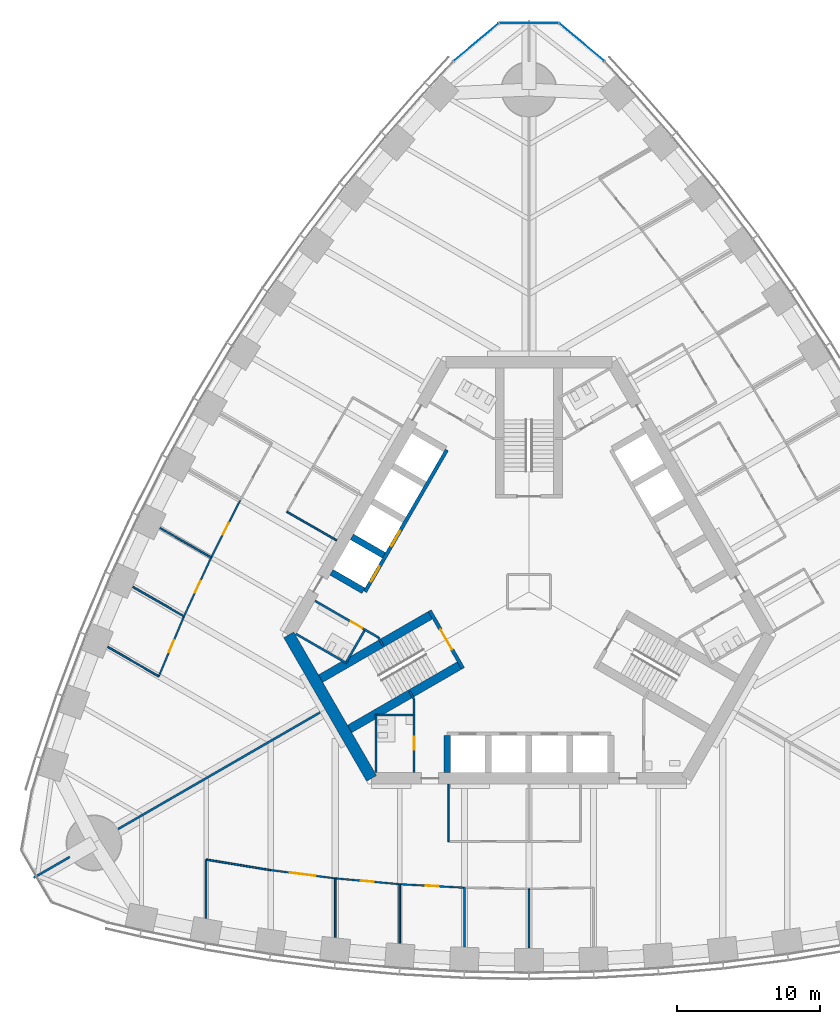
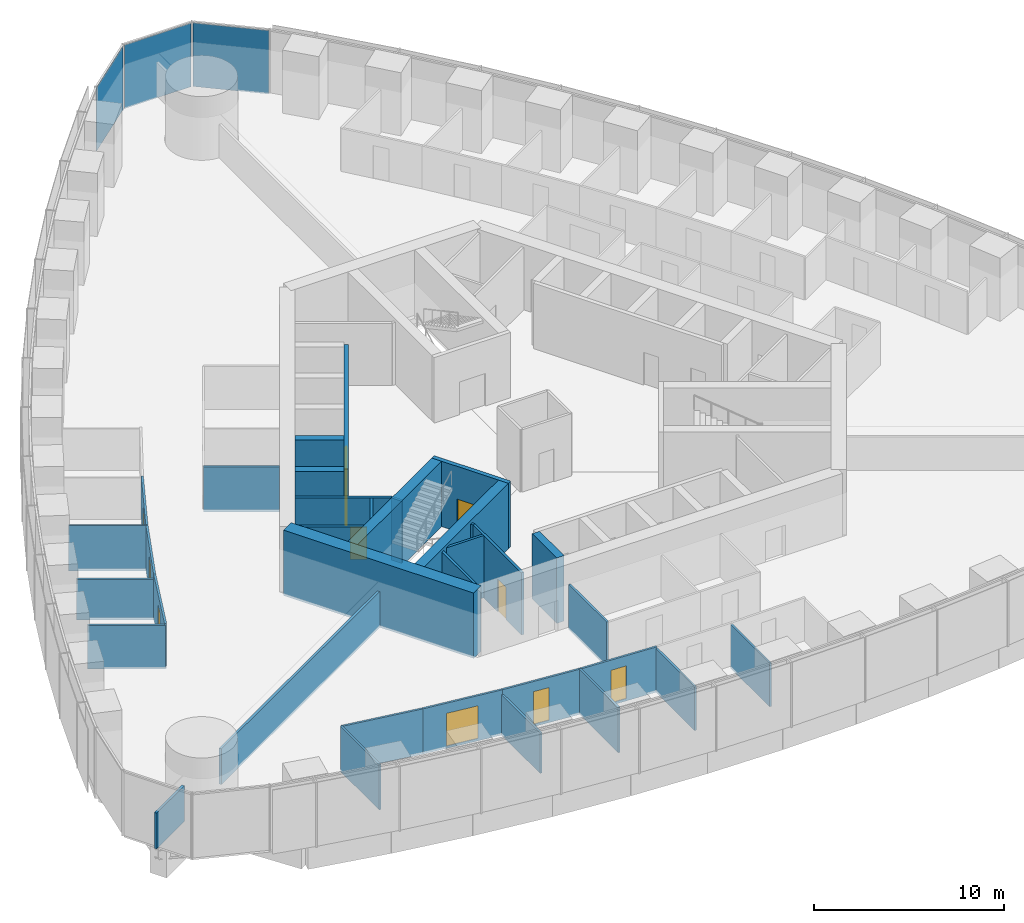
# One storey, part 10 of 18: 35 walls, 11 doors, 3 plates, 11 openings, 1 element without a shape of its own.
"""IFC4 building model written with IfcOpenShell, lengths in metres."""

from ifc_helpers import new_model, si_unit, direction, frame, frame_2d, origin, origin_2d, place, context, subcontext, project, spatial, rectangle, extrude, material, layer, layer_set, type_object, element, fill, aggregate, save


model = new_model("IFC4")

# Units and contexts
model_context = context("Model", 3, precision=1e-05, world=origin(), true_north=direction((0.0, 1.0)))
body_context = subcontext(model_context, "Body", "Model", "MODEL_VIEW")
ifc_project = project(units=[si_unit("LENGTHUNIT", "METRE"), si_unit("AREAUNIT", "SQUARE_METRE"), si_unit("VOLUMEUNIT", "CUBIC_METRE"), si_unit("PLANEANGLEUNIT", "RADIAN"), si_unit("MASSUNIT", "GRAM", prefix="KILO")], contexts=[model_context])

# Site, building, storey
site_placement = place(None, origin())
site = spatial("IfcSite", under=ifc_project, at=site_placement, CompositionType="ELEMENT")
building_placement = place(site_placement, origin())
building = spatial("IfcBuilding", under=site, at=building_placement, Name="Trefoil Bronze Tower", CompositionType="ELEMENT")
storey_placement = place(building_placement, frame((0.0, 0.0, 157.699951171875)))
storey = spatial("IfcBuildingStorey", under=building, at=storey_placement, Name="L36", CompositionType="ELEMENT", Elevation=157.699951171875)

# Curtain wall, plates
ifc_material_1 = material(Name="Tinted solar-control glass", Category="glass")
curtain_wall_type = type_object("IfcCurtainWallType", Name="Bronze rounded corner curtain wall", PredefinedType="USERDEFINED", material=ifc_material_1)
curtain_wall_placement = place(storey_placement, origin())
curtain_wall = element("IfcCurtainWall", 1, at=curtain_wall_placement, inside=storey, type_object=curtain_wall_type, Name="CW-B L36 K2", ObjectType="CURTAIN WALL", PredefinedType="USERDEFINED")
ifc_material_2 = material(Name="Tinted solar-control glass", Category="glass")
ifc_layer_1 = layer(ifc_material_2, 0.030029296875)
ifc_layer_set_1 = layer_set([ifc_layer_1], Name="Bronze rounded corner curtain wall glass panel")
plate_type = type_object("IfcPlateType", Name="Bronze rounded corner curtain wall glass panel", PredefinedType="CURTAIN_PANEL", material=ifc_layer_set_1)
plate_1_placement = place(storey_placement, frame((3.6884765625, 38.294921875, 0.0), z_axis=(0.0, 0.0, 1.0), x_axis=(-0.766044443119, 0.642787609687, 0.0)))
plate_1 = element("IfcPlate", 2, at=plate_1_placement, type_object=plate_type, Name="CW-B L36 K2 panel 1", PredefinedType="CURTAIN_PANEL", context=body_context, shape_type="SweptSolid", body=[
    extrude(rectangle(XDim=4.044189453125, YDim=0.030029296875, at=origin_2d()), origin(), (0.0, 0.0, 1.0), 4.080078125),
])
plate_2_placement = place(storey_placement, frame((0.0, 39.637451171875, 0.0), z_axis=(0.0, 0.0, 1.0), x_axis=(-1.0, 0.0, 0.0)))
plate_2 = element("IfcPlate", 3, at=plate_2_placement, type_object=plate_type, Name="CW-B L36 K2 panel 2", PredefinedType="CURTAIN_PANEL", context=body_context, shape_type="SweptSolid", body=[
    extrude(rectangle(XDim=4.044189453125, YDim=0.030029296875, at=origin_2d()), origin(), (0.0, 0.0, 1.0), 4.080078125),
])
plate_3_placement = place(storey_placement, frame((-3.6884765625, 38.294921875, 0.0), z_axis=(0.0, 0.0, 1.0), x_axis=(-0.766044443119, -0.642787609687, 0.0)))
plate_3 = element("IfcPlate", 4, at=plate_3_placement, type_object=plate_type, Name="CW-B L36 K2 panel 3", PredefinedType="CURTAIN_PANEL", context=body_context, shape_type="SweptSolid", body=[
    extrude(rectangle(XDim=4.044189453125, YDim=0.030029296875, at=origin_2d()), origin(), (0.0, 0.0, 1.0), 4.080078125),
])
aggregate(curtain_wall, [plate_1, plate_2, plate_3])

# Walls
ifc_material_3 = material(Name="Concrete B80", Category="concrete")
ifc_layer_2 = layer(ifc_material_3, 0.800048828125)
ifc_layer_set_2 = layer_set([ifc_layer_2], Name="Core wall 800")
wall_type_1 = type_object("IfcWallType", Name="Core wall 800", PredefinedType="SHEAR", material=ifc_layer_set_2)
wall_1_placement = place(storey_placement, frame((-16.7431640625, -3.0, 0.0), z_axis=(0.0, 0.0, 1.0), x_axis=(0.499995765644, -0.866027848477, 0.0)))
element("IfcWall", 5, at=wall_1_placement, inside=storey, type_object=wall_type_1, Name="Core short wall 3 L36", PredefinedType="SHEAR", context=body_context, shape_type="SweptSolid", body=[
    extrude(rectangle(XDim=11.546875, YDim=0.800048828125, at=frame_2d((5.7734375, 0.0))), origin(), (0.0, 0.0, 1.0), 4.199951171875),
])
ifc_material_4 = material(Name="Glazed partition", Category="glass")
ifc_layer_3 = layer(ifc_material_4, 0.1201171875)
ifc_layer_set_3 = layer_set([ifc_layer_3], Name="Glazed partition 120")
wall_type_2 = type_object("IfcWallType", Name="Glazed partition 120", PredefinedType="PARTITIONING", material=ifc_layer_set_3)
wall_2_placement = place(storey_placement, frame((-5.60009765625, -13.39990234375, 0.0), z_axis=(0.0, 0.0, 1.0), x_axis=(0.0, -1.0, 0.0)))
element("IfcWall", 6, at=wall_2_placement, inside=storey, type_object=wall_type_2, Name="Partition F1 L36", PredefinedType="PARTITIONING", context=body_context, shape_type="SweptSolid", body=[
    extrude(rectangle(XDim=4.0, YDim=0.1201171875, at=frame_2d((2.0, 0.0))), origin(), (0.0, 0.0, 1.0), 2.900146484375),
])

# Wall, opening, door
wall_3_placement = place(storey_placement, frame((-13.5, -19.9677734375, 0.0), z_axis=(0.0, 0.0, 1.0), x_axis=(0.995930325215, -0.090126507295, 0.0)))
wall_3 = element("IfcWall", 7, at=wall_3_placement, inside=storey, type_object=wall_type_2, Name="Partition F1 L36", PredefinedType="PARTITIONING", context=body_context, shape_type="SweptSolid", body=[
    extrude(rectangle(XDim=4.518310546875, YDim=0.1201171875, at=frame_2d((2.25927734375, 0.0))), origin(), (0.0, 0.0, 1.0), 2.900146484375),
])
opening_1_placement = place(wall_3_placement, frame((1.800048828125, 0.0, 0.14990234375)))
opening_1 = element("IfcOpeningElement", 8, at=opening_1_placement, cuts=wall_3, Name="Opening D8", PredefinedType="OPENING", context=body_context, shape_type="SweptSolid", body=[
    extrude(rectangle(XDim=0.89990234375, YDim=2.10009765625, at=frame_2d((0.449951171875, 1.050048828125))), frame((0.0, 0.070068359375, 0.0), z_axis=(0.0, -1.0, 0.0), x_axis=(1.0, 0.0, 0.0)), (0.0, 0.0, 1.0), 0.14013671875),
])
ifc_material_5 = material(Name="Timber door", Category="wood")
door_type_1 = type_object("IfcDoorType", Name="Office door 900", OperationType="SINGLE_SWING_LEFT", PredefinedType="DOOR", material=ifc_material_5)
door_1_placement = place(opening_1_placement, frame((0.89990234375, 0.0, 0.0), z_axis=(0.0, 0.0, 1.0), x_axis=(-1.0, 0.0, 0.0)))
door_1 = element("IfcDoor", 9, at=door_1_placement, inside=storey, type_object=door_type_1, Name="Office door F1 L36", OperationType="SINGLE_SWING_RIGHT", OverallHeight=2.10009765625, OverallWidth=0.89990234375, PredefinedType="DOOR", context=body_context, shape_type="SweptSolid", body=[
    extrude(rectangle(XDim=0.89990234375, YDim=2.10009765625, at=frame_2d((0.449951171875, 1.050048828125))), frame((0.0, 0.02490234375, 0.0), z_axis=(0.0, -1.0, 0.0), x_axis=(1.0, 0.0, 0.0)), (0.0, 0.0, 1.0), 0.050048828125),
])
fill(opening_1, door_1)

wall_4_placement = place(storey_placement, frame((-18.0, -19.3955078125, 0.0), z_axis=(0.0, 0.0, 1.0), x_axis=(0.992010652594, -0.12615413247, 0.0)))
wall_4 = element("IfcWall", 10, at=wall_4_placement, inside=storey, type_object=wall_type_2, Name="Partition F1 L36", PredefinedType="PARTITIONING", context=body_context, shape_type="SweptSolid", body=[
    extrude(rectangle(XDim=4.5361328125, YDim=0.1201171875, at=frame_2d((2.26806640625, 0.0))), origin(), (0.0, 0.0, 1.0), 2.900146484375),
])
opening_2_placement = place(wall_4_placement, frame((1.35009765625, 0.0, 0.14990234375)))
opening_2 = element("IfcOpeningElement", 11, at=opening_2_placement, cuts=wall_4, Name="Opening D10", PredefinedType="OPENING", context=body_context, shape_type="SweptSolid", body=[
    extrude(rectangle(XDim=1.800048828125, YDim=2.10009765625, at=frame_2d((0.89990234375, 1.050048828125))), frame((0.0, 0.070068359375, 0.0), z_axis=(0.0, -1.0, 0.0), x_axis=(1.0, 0.0, 0.0)), (0.0, 0.0, 1.0), 0.14013671875),
])
ifc_material_6 = material(Name="Timber door", Category="wood")
door_type_2 = type_object("IfcDoorType", Name="Double door 1800", OperationType="DOUBLE_DOOR_SINGLE_SWING", PredefinedType="DOOR", material=ifc_material_6)
door_2_placement = place(opening_2_placement, frame((1.800048828125, 0.0, 0.0), z_axis=(0.0, 0.0, 1.0), x_axis=(-1.0, 0.0, 0.0)))
door_2 = element("IfcDoor", 12, at=door_2_placement, inside=storey, type_object=door_type_2, Name="Kitchen and breakout door F1 L36", OperationType="DOUBLE_DOOR_SINGLE_SWING", OverallHeight=2.10009765625, OverallWidth=1.800048828125, PredefinedType="DOOR", context=body_context, shape_type="SweptSolid", body=[
    extrude(rectangle(XDim=1.800048828125, YDim=2.10009765625, at=frame_2d((0.89990234375, 1.050048828125))), frame((0.0, 0.02490234375, 0.0), z_axis=(0.0, -1.0, 0.0), x_axis=(1.0, 0.0, 0.0)), (0.0, 0.0, 1.0), 0.050048828125),
])
fill(opening_2, door_2)

# Wall
wall_5_placement = place(storey_placement, frame((-22.5, -18.656005859375, 0.0), z_axis=(0.0, 0.0, 1.0), x_axis=(0.986764681833, -0.162158757664, 0.0)))
element("IfcWall", 13, at=wall_5_placement, inside=storey, type_object=wall_type_2, Name="Partition F1 L36", PredefinedType="PARTITIONING", context=body_context, shape_type="SweptSolid", body=[
    extrude(rectangle(XDim=4.560302734375, YDim=0.1201171875, at=frame_2d((2.2802734375, 0.0))), origin(), (0.0, 0.0, 1.0), 2.900146484375),
])

# Wall, opening, door
wall_6_placement = place(storey_placement, frame((-9.0, -20.375, 0.0), z_axis=(0.0, 0.0, 1.0), x_axis=(0.998537376538, -0.054065771581, 0.0)))
wall_6 = element("IfcWall", 14, at=wall_6_placement, inside=storey, type_object=wall_type_2, Name="Partition F1 L36", PredefinedType="PARTITIONING", context=body_context, shape_type="SweptSolid", body=[
    extrude(rectangle(XDim=4.506591796875, YDim=0.1201171875, at=frame_2d((2.25341796875, 0.0))), origin(), (0.0, 0.0, 1.0), 2.900146484375),
])
opening_3_placement = place(wall_6_placement, frame((1.800048828125, 0.0, 0.14990234375)))
opening_3 = element("IfcOpeningElement", 15, at=opening_3_placement, cuts=wall_6, Name="Opening D8", PredefinedType="OPENING", context=body_context, shape_type="SweptSolid", body=[
    extrude(rectangle(XDim=0.89990234375, YDim=2.10009765625, at=frame_2d((0.449951171875, 1.050048828125))), frame((0.0, 0.070068359375, 0.0), z_axis=(0.0, -1.0, 0.0), x_axis=(1.0, 0.0, 0.0)), (0.0, 0.0, 1.0), 0.14013671875),
])
door_3_placement = place(opening_3_placement, frame((0.89990234375, 0.0, 0.0), z_axis=(0.0, 0.0, 1.0), x_axis=(-1.0, 0.0, 0.0)))
door_3 = element("IfcDoor", 16, at=door_3_placement, inside=storey, type_object=door_type_1, Name="Office door F1 L36", OperationType="SINGLE_SWING_RIGHT", OverallHeight=2.10009765625, OverallWidth=0.89990234375, PredefinedType="DOOR", context=body_context, shape_type="SweptSolid", body=[
    extrude(rectangle(XDim=0.89990234375, YDim=2.10009765625, at=frame_2d((0.449951171875, 1.050048828125))), frame((0.0, 0.02490234375, 0.0), z_axis=(0.0, -1.0, 0.0), x_axis=(1.0, 0.0, 0.0)), (0.0, 0.0, 1.0), 0.050048828125),
])
fill(opening_3, door_3)

# Walls
wall_7_placement = place(storey_placement, frame((0.0, -20.69970703125, 0.0), z_axis=(0.0, 0.0, 1.0), x_axis=(0.0, -1.0, 0.0)))
element("IfcWall", 17, at=wall_7_placement, inside=storey, type_object=wall_type_2, Name="Partition F1 L36", PredefinedType="PARTITIONING", context=body_context, shape_type="SweptSolid", body=[
    extrude(rectangle(XDim=4.119873046875, YDim=0.1201171875, at=frame_2d((2.06005859375, 0.0))), origin(), (0.0, 0.0, 1.0), 2.800048828125),
])
wall_8_placement = place(storey_placement, frame((-13.5, -19.9677734375, 0.0), z_axis=(0.0, 0.0, 1.0), x_axis=(0.0, -1.0, 0.0)))
element("IfcWall", 18, at=wall_8_placement, inside=storey, type_object=wall_type_2, Name="Partition F1 L36", PredefinedType="PARTITIONING", context=body_context, shape_type="SweptSolid", body=[
    extrude(rectangle(XDim=4.1103515625, YDim=0.1201171875, at=frame_2d((2.05517578125, 0.0))), origin(), (0.0, 0.0, 1.0), 2.60009765625),
])
wall_9_placement = place(storey_placement, frame((-22.5, -18.656005859375, 0.0), z_axis=(0.0, 0.0, 1.0), x_axis=(0.0, -1.0, 0.0)))
element("IfcWall", 19, at=wall_9_placement, inside=storey, type_object=wall_type_2, Name="Partition F1 L36", PredefinedType="PARTITIONING", context=body_context, shape_type="SweptSolid", body=[
    extrude(rectangle(XDim=4.093017578125, YDim=0.1201171875, at=frame_2d((2.04638671875, 0.0))), origin(), (0.0, 0.0, 1.0), 2.900146484375),
])
wall_10_placement = place(storey_placement, frame((-4.5, -20.61865234375, 0.0), z_axis=(0.0, 0.0, 1.0), x_axis=(0.0, -1.0, 0.0)))
element("IfcWall", 20, at=wall_10_placement, inside=storey, type_object=wall_type_2, Name="Partition F1 L36", PredefinedType="PARTITIONING", context=body_context, shape_type="SweptSolid", body=[
    extrude(rectangle(XDim=4.118896484375, YDim=0.1201171875, at=frame_2d((2.0595703125, 0.0))), origin(), (0.0, 0.0, 1.0), 2.800048828125),
])
wall_11_placement = place(storey_placement, frame((-9.0, -20.375, 0.0), z_axis=(0.0, 0.0, 1.0), x_axis=(0.0, -1.0, 0.0)))
element("IfcWall", 21, at=wall_11_placement, inside=storey, type_object=wall_type_2, Name="Partition F1 L36", PredefinedType="PARTITIONING", context=body_context, shape_type="SweptSolid", body=[
    extrude(rectangle(XDim=4.11572265625, YDim=0.1201171875, at=frame_2d((2.057861328125, 0.0))), origin(), (0.0, 0.0, 1.0), 2.900146484375),
])
wall_12_placement = place(storey_placement, frame((-13.40478515625, 3.582275390625, 0.0), z_axis=(0.0, 0.0, 1.0), x_axis=(-0.866026010844, 0.49999894854, 0.0)))
element("IfcWall", 22, at=wall_12_placement, inside=storey, type_object=wall_type_2, Name="Partition F3 L36", PredefinedType="PARTITIONING", context=body_context, shape_type="SweptSolid", body=[
    extrude(rectangle(XDim=4.0, YDim=0.1201171875, at=frame_2d((2.0, 0.0))), origin(), (0.0, 0.0, 1.0), 2.900146484375),
])

# Wall, opening, door
wall_13_placement = place(storey_placement, frame((-24.042724609375, -1.70751953125, 0.0), z_axis=(0.0, 0.0, 1.0), x_axis=(-0.386762112496, -0.922179520667, 0.0)))
wall_13 = element("IfcWall", 23, at=wall_13_placement, inside=storey, type_object=wall_type_2, Name="Partition F3 L36", PredefinedType="PARTITIONING", context=body_context, shape_type="SweptSolid", body=[
    extrude(rectangle(XDim=4.5361328125, YDim=0.1201171875, at=frame_2d((2.26806640625, 0.0))), origin(), (0.0, 0.0, 1.0), 2.900146484375),
])
opening_4_placement = place(wall_13_placement, frame((1.800048828125, 0.0, 0.14990234375)))
opening_4 = element("IfcOpeningElement", 24, at=opening_4_placement, cuts=wall_13, Name="Opening D8", PredefinedType="OPENING", context=body_context, shape_type="SweptSolid", body=[
    extrude(rectangle(XDim=0.89990234375, YDim=2.10009765625, at=frame_2d((0.449951171875, 1.050048828125))), frame((0.0, 0.070068359375, 0.0), z_axis=(0.0, -1.0, 0.0), x_axis=(1.0, 0.0, 0.0)), (0.0, 0.0, 1.0), 0.14013671875),
])
door_4_placement = place(opening_4_placement, frame((0.89990234375, 0.0, 0.0), z_axis=(0.0, 0.0, 1.0), x_axis=(-1.0, 0.0, 0.0)))
door_4 = element("IfcDoor", 25, at=door_4_placement, inside=storey, type_object=door_type_1, Name="Office door F3 L36", OperationType="SINGLE_SWING_RIGHT", OverallHeight=2.10009765625, OverallWidth=0.89990234375, PredefinedType="DOOR", context=body_context, shape_type="SweptSolid", body=[
    extrude(rectangle(XDim=0.89990234375, YDim=2.10009765625, at=frame_2d((0.449951171875, 1.050048828125))), frame((0.0, 0.02490234375, 0.0), z_axis=(0.0, -1.0, 0.0), x_axis=(1.0, 0.0, 0.0)), (0.0, 0.0, 1.0), 0.050048828125),
])
fill(opening_4, door_4)

wall_14_placement = place(storey_placement, frame((-20.106201171875, 6.412109375, 0.0), z_axis=(0.0, 0.0, 1.0), x_axis=(-0.452471679136, -0.891778772779, 0.0)))
wall_14 = element("IfcWall", 26, at=wall_14_placement, inside=storey, type_object=wall_type_2, Name="Partition F3 L36", PredefinedType="PARTITIONING", context=body_context, shape_type="SweptSolid", body=[
    extrude(rectangle(XDim=4.506591796875, YDim=0.1201171875, at=frame_2d((2.25341796875, 0.0))), origin(), (0.0, 0.0, 1.0), 2.900146484375),
])
opening_5_placement = place(wall_14_placement, frame((1.800048828125, 0.0, 0.14990234375)))
opening_5 = element("IfcOpeningElement", 27, at=opening_5_placement, cuts=wall_14, Name="Opening D8", PredefinedType="OPENING", context=body_context, shape_type="SweptSolid", body=[
    extrude(rectangle(XDim=0.89990234375, YDim=2.10009765625, at=frame_2d((0.449951171875, 1.050048828125))), frame((0.0, 0.070068359375, 0.0), z_axis=(0.0, -1.0, 0.0), x_axis=(1.0, 0.0, 0.0)), (0.0, 0.0, 1.0), 0.14013671875),
])
door_5_placement = place(opening_5_placement, frame((0.89990234375, 0.0, 0.0), z_axis=(0.0, 0.0, 1.0), x_axis=(-1.0, 0.0, 0.0)))
door_5 = element("IfcDoor", 28, at=door_5_placement, inside=storey, type_object=door_type_1, Name="Office door F3 L36", OperationType="SINGLE_SWING_RIGHT", OverallHeight=2.10009765625, OverallWidth=0.89990234375, PredefinedType="DOOR", context=body_context, shape_type="SweptSolid", body=[
    extrude(rectangle(XDim=0.89990234375, YDim=2.10009765625, at=frame_2d((0.449951171875, 1.050048828125))), frame((0.0, 0.02490234375, 0.0), z_axis=(0.0, -1.0, 0.0), x_axis=(1.0, 0.0, 0.0)), (0.0, 0.0, 1.0), 0.050048828125),
])
fill(opening_5, door_5)

wall_15_placement = place(storey_placement, frame((-22.145263671875, 2.393310546875, 0.0), z_axis=(0.0, 0.0, 1.0), x_axis=(-0.41992827805, -0.90755729367, 0.0)))
wall_15 = element("IfcWall", 29, at=wall_15_placement, inside=storey, type_object=wall_type_2, Name="Partition F3 L36", PredefinedType="PARTITIONING", context=body_context, shape_type="SweptSolid", body=[
    extrude(rectangle(XDim=4.5185546875, YDim=0.1201171875, at=frame_2d((2.25927734375, 0.0))), origin(), (0.0, 0.0, 1.0), 2.900146484375),
])
opening_6_placement = place(wall_15_placement, frame((1.800048828125, 0.0, 0.14990234375)))
opening_6 = element("IfcOpeningElement", 30, at=opening_6_placement, cuts=wall_15, Name="Opening D8", PredefinedType="OPENING", context=body_context, shape_type="SweptSolid", body=[
    extrude(rectangle(XDim=0.89990234375, YDim=2.10009765625, at=frame_2d((0.449951171875, 1.050048828125))), frame((0.0, 0.070068359375, 0.0), z_axis=(0.0, -1.0, 0.0), x_axis=(1.0, 0.0, 0.0)), (0.0, 0.0, 1.0), 0.14013671875),
])
door_6_placement = place(opening_6_placement, frame((0.89990234375, 0.0, 0.0), z_axis=(0.0, 0.0, 1.0), x_axis=(-1.0, 0.0, 0.0)))
door_6 = element("IfcDoor", 31, at=door_6_placement, inside=storey, type_object=door_type_1, Name="Office door F3 L36", OperationType="SINGLE_SWING_RIGHT", OverallHeight=2.10009765625, OverallWidth=0.89990234375, PredefinedType="DOOR", context=body_context, shape_type="SweptSolid", body=[
    extrude(rectangle(XDim=0.89990234375, YDim=2.10009765625, at=frame_2d((0.449951171875, 1.050048828125))), frame((0.0, 0.02490234375, 0.0), z_axis=(0.0, -1.0, 0.0), x_axis=(1.0, 0.0, 0.0)), (0.0, 0.0, 1.0), 0.050048828125),
])
fill(opening_6, door_6)

# Walls
wall_16_placement = place(storey_placement, frame((-24.042724609375, -1.70751953125, 0.0), z_axis=(0.0, 0.0, 1.0), x_axis=(-0.866019409031, 0.500010383074, 0.0)))
element("IfcWall", 32, at=wall_16_placement, inside=storey, type_object=wall_type_2, Name="Partition F3 L36", PredefinedType="PARTITIONING", context=body_context, shape_type="SweptSolid", body=[
    extrude(rectangle(XDim=4.1103515625, YDim=0.1201171875, at=frame_2d((2.05517578125, 0.0))), origin(), (0.0, 0.0, 1.0), 2.60009765625),
])
wall_17_placement = place(storey_placement, frame((-25.797119140625, -5.890625, 0.0), z_axis=(0.0, 0.0, 1.0), x_axis=(-0.866019112135, 0.500010897298, 0.0)))
element("IfcWall", 33, at=wall_17_placement, inside=storey, type_object=wall_type_2, Name="Partition F3 L36", PredefinedType="PARTITIONING", context=body_context, shape_type="SweptSolid", body=[
    extrude(rectangle(XDim=4.10302734375, YDim=0.1201171875, at=frame_2d((2.051513671875, 0.0))), origin(), (0.0, 0.0, 1.0), 2.800048828125),
])
wall_18_placement = place(storey_placement, frame((-22.145263671875, 2.393310546875, 0.0), z_axis=(0.0, 0.0, 1.0), x_axis=(-0.866018637367, 0.500011719595, 0.0)))
element("IfcWall", 34, at=wall_18_placement, inside=storey, type_object=wall_type_2, Name="Partition F3 L36", PredefinedType="PARTITIONING", context=body_context, shape_type="SweptSolid", body=[
    extrude(rectangle(XDim=4.11572265625, YDim=0.1201171875, at=frame_2d((2.057861328125, 0.0))), origin(), (0.0, 0.0, 1.0), 2.900146484375),
])
ifc_material_7 = material(Name="Concrete B80", Category="concrete")
ifc_layer_4 = layer(ifc_material_7, 0.449951171875)
ifc_layer_set_4 = layer_set([ifc_layer_4], Name="Outrigger shaft wall 450")
wall_type_3 = type_object("IfcWallType", Name="Outrigger shaft wall 450", PredefinedType="SHEAR", material=ifc_layer_set_4)
wall_19_placement = place(storey_placement, frame((-5.699951171875, -10.02490234375, 0.0), z_axis=(0.0, 0.0, 1.0), x_axis=(0.0, -1.0, 0.0)))
element("IfcWall", 35, at=wall_19_placement, inside=storey, type_object=wall_type_3, Name="Lift shaft side wall A0 L36", PredefinedType="SHEAR", context=body_context, shape_type="SweptSolid", body=[
    extrude(rectangle(XDim=2.5751953125, YDim=0.449951171875, at=frame_2d((1.28759765625, 0.0))), origin(), (0.0, 0.0, 1.0), 4.199951171875),
])
for number, where, z_axis, x_axis, name in (
    (36, (-10.10693359375, 2.54443359375, 0.0), (0.0, 0.0, 1.0), (-0.866046643894, 0.499963209246, 0.0), "Lift shaft side wall C3 L36"),
    (37, (-11.531982421875, 0.076171875, 0.0), (0.0, 0.0, 1.0), (-0.866005588531, 0.500034319456, 0.0), "Lift shaft side wall C4 L36"),
):
    element("IfcWall", number, at=place(storey_placement, frame(where, z_axis=z_axis, x_axis=x_axis)), inside=storey, type_object=wall_type_3, Name=name, PredefinedType="SHEAR", context=body_context, shape_type="SweptSolid", body=[
        extrude(rectangle(XDim=2.574951171875, YDim=0.449951171875, at=frame_2d((1.28759765625, 0.0))), origin(), (0.0, 0.0, 1.0), 4.199951171875),
    ])

# Wall, opening, door
ifc_material_8 = material(Name="Gypsum board on steel studs", Category="steel")
ifc_layer_5 = layer(ifc_material_8, 0.14990234375)
ifc_layer_set_5 = layer_set([ifc_layer_5], Name="Partition 150")
wall_type_4 = type_object("IfcWallType", Name="Partition 150", PredefinedType="PARTITIONING", material=ifc_layer_set_5)
wall_20_placement = place(storey_placement, frame((-8.0, -7.5, 0.0), z_axis=(0.0, 0.0, 1.0), x_axis=(0.0, -1.0, 0.0)))
wall_20 = element("IfcWall", 38, at=wall_20_placement, inside=storey, type_object=wall_type_4, Name="Passage wall F1- L36", PredefinedType="PARTITIONING", context=body_context, shape_type="SweptSolid", body=[
    extrude(rectangle(XDim=5.10009765625, YDim=0.14990234375, at=frame_2d((2.550048828125, 0.0))), origin(), (0.0, 0.0, 1.0), 4.0),
])
opening_7_placement = place(wall_20_placement, frame((2.60009765625, 0.0, 0.0)))
opening_7 = element("IfcOpeningElement", 39, at=opening_7_placement, cuts=wall_20, Name="Opening D3", PredefinedType="OPENING", context=body_context, shape_type="SweptSolid", body=[
    extrude(rectangle(XDim=0.89990234375, YDim=2.10009765625, at=frame_2d((0.449951171875, 1.050048828125))), frame((0.0, 0.0849609375, 0.0), z_axis=(0.0, -1.0, 0.0), x_axis=(1.0, 0.0, 0.0)), (0.0, 0.0, 1.0), 0.169921875),
])
ifc_material_9 = material(Name="Timber door", Category="wood")
door_type_3 = type_object("IfcDoorType", Name="WC door 900", OperationType="SINGLE_SWING_LEFT", PredefinedType="DOOR", material=ifc_material_9)
door_7_placement = place(opening_7_placement, frame((0.89990234375, 0.0, 0.0), z_axis=(0.0, 0.0, 1.0), x_axis=(-1.0, 0.0, 0.0)))
door_7 = element("IfcDoor", 40, at=door_7_placement, inside=storey, type_object=door_type_3, Name="WC (women) door L36", OperationType="SINGLE_SWING_RIGHT", OverallHeight=2.10009765625, OverallWidth=0.89990234375, PredefinedType="DOOR", context=body_context, shape_type="SweptSolid", body=[
    extrude(rectangle(XDim=0.89990234375, YDim=2.10009765625, at=frame_2d((0.449951171875, 1.050048828125))), frame((0.0, 0.02490234375, 0.0), z_axis=(0.0, -1.0, 0.0), x_axis=(1.0, 0.0, 0.0)), (0.0, 0.0, 1.0), 0.050048828125),
])
fill(opening_7, door_7)

wall_21_placement = place(storey_placement, frame((-10.4951171875, -3.17822265625, 0.0), z_axis=(0.0, 0.0, 1.0), x_axis=(-0.86602216432, 0.500005610874, 0.0)))
wall_21 = element("IfcWall", 41, at=wall_21_placement, inside=storey, type_object=wall_type_4, Name="Passage wall F3+ L36", PredefinedType="PARTITIONING", context=body_context, shape_type="SweptSolid", body=[
    extrude(rectangle(XDim=5.10009765625, YDim=0.14990234375, at=frame_2d((2.550048828125, 0.0))), origin(), (0.0, 0.0, 1.0), 4.0),
])
opening_8_placement = place(wall_21_placement, frame((1.300048828125, 0.0, 0.0)))
opening_8 = element("IfcOpeningElement", 42, at=opening_8_placement, cuts=wall_21, Name="Opening D3", PredefinedType="OPENING", context=body_context, shape_type="SweptSolid", body=[
    extrude(rectangle(XDim=0.89990234375, YDim=2.10009765625, at=frame_2d((0.449951171875, 1.050048828125))), frame((0.0, 0.0849609375, 0.0), z_axis=(0.0, -1.0, 0.0), x_axis=(1.0, 0.0, 0.0)), (0.0, 0.0, 1.0), 0.169921875),
])
door_8_placement = place(opening_8_placement, origin())
door_8 = element("IfcDoor", 43, at=door_8_placement, inside=storey, type_object=door_type_3, Name="WC (men) door L36", OperationType="SINGLE_SWING_LEFT", OverallHeight=2.10009765625, OverallWidth=0.89990234375, PredefinedType="DOOR", context=body_context, shape_type="SweptSolid", body=[
    extrude(rectangle(XDim=0.89990234375, YDim=2.10009765625, at=frame_2d((0.449951171875, 1.050048828125))), frame((0.0, 0.02490234375, 0.0), z_axis=(0.0, -1.0, 0.0), x_axis=(1.0, 0.0, 0.0)), (0.0, 0.0, 1.0), 0.050048828125),
])
fill(opening_8, door_8)

# Walls
for number, where, z_axis, x_axis, name in (
    (44, (-10.4951171875, -3.17822265625, 0.0), (0.0, 0.0, 1.0), (0.499842556608, -0.866116284689, 0.0), "WC wall ST3-1 L36"),
    (45, (-8.0, -7.5, 0.0), (0.0, 0.0, 1.0), (-0.499842556608, 0.866116284689, 0.0), "WC wall ST3+1 L36"),
):
    element("IfcWall", number, at=place(storey_placement, frame(where, z_axis=z_axis, x_axis=x_axis)), inside=storey, type_object=wall_type_4, Name=name, PredefinedType="PARTITIONING", context=body_context, shape_type="SweptSolid", body=[
        extrude(rectangle(XDim=0.645263671875, YDim=0.14990234375, at=frame_2d((0.32275390625, 0.0))), origin(), (0.0, 0.0, 1.0), 4.0),
    ])
wall_22_placement = place(storey_placement, frame((-12.691162109375, -4.98193359375, 0.0), z_axis=(0.0, 0.0, 1.0), x_axis=(-0.8660249478, 0.500000789788, 0.0)))
element("IfcWall", 46, at=wall_22_placement, inside=storey, type_object=wall_type_4, Name="WC partition WC (men) L36", PredefinedType="PARTITIONING", context=body_context, shape_type="SweptSolid", body=[
    extrude(rectangle(XDim=4.10009765625, YDim=0.14990234375, at=frame_2d((2.050048828125, 0.0))), origin(), (0.0, 0.0, 1.0), 4.0),
])
wall_23_placement = place(storey_placement, frame((-11.463623046875, -2.70556640625, 0.0), z_axis=(0.0, 0.0, 1.0), x_axis=(-0.50001992892, -0.866013897511, 0.0)))
element("IfcWall", 47, at=wall_23_placement, inside=storey, type_object=wall_type_4, Name="WC partition WC (men) L36", PredefinedType="PARTITIONING", context=body_context, shape_type="SweptSolid", body=[
    extrude(rectangle(XDim=2.51025390625, YDim=0.14990234375, at=frame_2d((1.255126953125, 0.0))), origin(), (0.0, 0.0, 1.0), 4.0),
])
wall_24_placement = place(storey_placement, frame((-10.659912109375, -8.5, 0.0), z_axis=(0.0, 0.0, 1.0), x_axis=(0.0, -1.0, 0.0)))
element("IfcWall", 48, at=wall_24_placement, inside=storey, type_object=wall_type_4, Name="WC partition WC (women) L36", PredefinedType="PARTITIONING", context=body_context, shape_type="SweptSolid", body=[
    extrude(rectangle(XDim=4.10009765625, YDim=0.14990234375, at=frame_2d((2.050048828125, 0.0))), origin(), (0.0, 0.0, 1.0), 4.0),
])
wall_25_placement = place(storey_placement, frame((-8.074951171875, -8.574951171875, 0.0), z_axis=(0.0, 0.0, 1.0), x_axis=(-1.0, 0.0, 0.0)))
element("IfcWall", 49, at=wall_25_placement, inside=storey, type_object=wall_type_4, Name="WC partition WC (women) L36", PredefinedType="PARTITIONING", context=body_context, shape_type="SweptSolid", body=[
    extrude(rectangle(XDim=2.510009765625, YDim=0.14990234375, at=frame_2d((1.2548828125, 0.0))), origin(), (0.0, 0.0, 1.0), 4.0),
])
ifc_material_10 = material(Name="Gypsum board on steel studs", Category="steel")
ifc_layer_6 = layer(ifc_material_10, 0.14990234375)
ifc_layer_set_6 = layer_set([ifc_layer_6], Name="Party wall 150")
wall_type_5 = type_object("IfcWallType", Name="Party wall 150", PredefinedType="PARTITIONING", material=ifc_layer_set_6)
wall_26_placement = place(storey_placement, frame((-14.202880859375, -8.199951171875, 0.0), z_axis=(0.0, 0.0, 1.0), x_axis=(-0.866024668836, -0.500001272966, 0.0)))
element("IfcWall", 50, at=wall_26_placement, inside=storey, type_object=wall_type_5, Name="Party wall K3 L36", PredefinedType="PARTITIONING", context=body_context, shape_type="SweptSolid", body=[
    extrude(rectangle(XDim=16.64990234375, YDim=0.14990234375, at=frame_2d((8.324951171875, 0.0))), origin(), (0.0, 0.0, 1.0), 2.300048828125),
])
wall_27_placement = place(storey_placement, frame((-31.999755859375, -18.47509765625, 0.0), z_axis=(0.0, 0.0, 1.0), x_axis=(-0.866042548026, -0.499970304126, 0.0)))
element("IfcWall", 51, at=wall_27_placement, inside=storey, type_object=wall_type_5, Name="Party wall K3 L36", PredefinedType="PARTITIONING", context=body_context, shape_type="SweptSolid", body=[
    extrude(rectangle(XDim=2.899169921875, YDim=0.14990234375, at=frame_2d((1.44970703125, 0.0))), origin(), (0.0, 0.0, 1.0), 2.300048828125),
])

# Wall, openings, doors
ifc_material_11 = material(Name="Concrete B80", Category="concrete")
ifc_layer_7 = layer(ifc_material_11, 0.25)
ifc_layer_set_7 = layer_set([ifc_layer_7], Name="Shaft wall 250")
wall_type_6 = type_object("IfcWallType", Name="Shaft wall 250", PredefinedType="SHEAR", material=ifc_layer_set_7)
wall_28_placement = place(storey_placement, frame((-5.7236328125, 9.88623046875, 0.0), z_axis=(0.0, 0.0, 1.0), x_axis=(-0.500001763848, -0.866024385424, 0.0)))
wall_28 = element("IfcWall", 52, at=wall_28_placement, inside=storey, type_object=wall_type_6, Name="Lift shaft front wall C L36", PredefinedType="SHEAR", context=body_context, shape_type="SweptSolid", body=[
    extrude(rectangle(XDim=11.39990234375, YDim=0.25, at=frame_2d((5.699951171875, 0.0))), origin(), (0.0, 0.0, 1.0), 4.199951171875),
])
opening_9_placement = place(wall_28_placement, frame((6.52490234375, 0.0, 0.0)))
opening_9 = element("IfcOpeningElement", 53, at=opening_9_placement, cuts=wall_28, Name="Opening LD-FL1", PredefinedType="OPENING", context=body_context, shape_type="SweptSolid", body=[
    extrude(rectangle(XDim=1.199951171875, YDim=2.199951171875, at=frame_2d((0.60009765625, 1.10009765625))), frame((0.0, 0.135009765625, 0.0), z_axis=(0.0, -1.0, 0.0), x_axis=(1.0, 0.0, 0.0)), (0.0, 0.0, 1.0), 0.27001953125),
])
opening_10_placement = place(wall_28_placement, frame((9.375, 0.0, 0.0)))
opening_10 = element("IfcOpeningElement", 54, at=opening_10_placement, cuts=wall_28, Name="Opening LD-FL2", PredefinedType="OPENING", context=body_context, shape_type="SweptSolid", body=[
    extrude(rectangle(XDim=1.199951171875, YDim=2.199951171875, at=frame_2d((0.60009765625, 1.10009765625))), frame((0.0, 0.135009765625, 0.0), z_axis=(0.0, -1.0, 0.0), x_axis=(1.0, 0.0, 0.0)), (0.0, 0.0, 1.0), 0.27001953125),
])
ifc_material_12 = material(Name="Steel door", Category="steel")
door_type_4 = type_object("IfcDoorType", Name="Lift landing door 1200", OperationType="DOUBLE_DOOR_SLIDING", PredefinedType="DOOR", material=ifc_material_12)
door_9_placement = place(opening_9_placement, origin())
door_9 = element("IfcDoor", 55, at=door_9_placement, inside=storey, type_object=door_type_4, Name="Lift FL1 landing door L36", OperationType="DOUBLE_DOOR_SLIDING", OverallHeight=2.199951171875, OverallWidth=1.199951171875, PredefinedType="DOOR", context=body_context, shape_type="SweptSolid", body=[
    extrude(rectangle(XDim=1.199951171875, YDim=2.199951171875, at=frame_2d((0.60009765625, 1.10009765625))), frame((0.0, 0.02490234375, 0.0), z_axis=(0.0, -1.0, 0.0), x_axis=(1.0, 0.0, 0.0)), (0.0, 0.0, 1.0), 0.050048828125),
])
fill(opening_9, door_9)
door_10_placement = place(opening_10_placement, origin())
door_10 = element("IfcDoor", 56, at=door_10_placement, inside=storey, type_object=door_type_4, Name="Lift FL2 landing door L36", OperationType="DOUBLE_DOOR_SLIDING", OverallHeight=2.199951171875, OverallWidth=1.199951171875, PredefinedType="DOOR", context=body_context, shape_type="SweptSolid", body=[
    extrude(rectangle(XDim=1.199951171875, YDim=2.199951171875, at=frame_2d((0.60009765625, 1.10009765625))), frame((0.0, 0.02490234375, 0.0), z_axis=(0.0, -1.0, 0.0), x_axis=(1.0, 0.0, 0.0)), (0.0, 0.0, 1.0), 0.050048828125),
])
fill(opening_10, door_10)

# Wall, opening, door
wall_29_placement = place(storey_placement, frame((-6.921630859375, -1.3115234375, 0.0), z_axis=(0.0, 0.0, 1.0), x_axis=(0.499984536904, -0.866034331223, 0.0)))
wall_29 = element("IfcWall", 57, at=wall_29_placement, inside=storey, type_object=wall_type_6, Name="Stair end wall ST3 L36", PredefinedType="SHEAR", context=body_context, shape_type="SweptSolid", body=[
    extrude(rectangle(XDim=4.650146484375, YDim=0.25, at=frame_2d((2.3251953125, 0.0))), origin(), (0.0, 0.0, 1.0), 4.199951171875),
])
opening_11_placement = place(wall_29_placement, frame((1.52490234375, 0.0, 0.0)))
opening_11 = element("IfcOpeningElement", 58, at=opening_11_placement, cuts=wall_29, Name="Opening D1", PredefinedType="OPENING", context=body_context, shape_type="SweptSolid", body=[
    extrude(rectangle(XDim=1.60009765625, YDim=2.10009765625, at=frame_2d((0.800048828125, 1.050048828125))), frame((0.0, 0.135009765625, 0.0), z_axis=(0.0, -1.0, 0.0), x_axis=(1.0, 0.0, 0.0)), (0.0, 0.0, 1.0), 0.27001953125),
])
ifc_material_13 = material(Name="Steel door", Category="steel")
door_type_5 = type_object("IfcDoorType", Name="Stair door 1600", OperationType="DOUBLE_DOOR_SINGLE_SWING", PredefinedType="DOOR", material=ifc_material_13)
door_11_placement = place(opening_11_placement, frame((1.60009765625, 0.0, 0.0), z_axis=(0.0, 0.0, 1.0), x_axis=(-1.0, 0.0, 0.0)))
door_11 = element("IfcDoor", 59, at=door_11_placement, inside=storey, type_object=door_type_5, Name="Stair door ST3 L36", OperationType="DOUBLE_DOOR_SINGLE_SWING", OverallHeight=2.10009765625, OverallWidth=1.60009765625, PredefinedType="DOOR", context=body_context, shape_type="SweptSolid", body=[
    extrude(rectangle(XDim=1.60009765625, YDim=2.10009765625, at=frame_2d((0.800048828125, 1.050048828125))), frame((0.0, 0.02490234375, 0.0), z_axis=(0.0, -1.0, 0.0), x_axis=(1.0, 0.0, 0.0)), (0.0, 0.0, 1.0), 0.050048828125),
])
fill(opening_11, door_11)

# Walls
ifc_material_14 = material(Name="Concrete B80", Category="concrete")
ifc_layer_8 = layer(ifc_material_14, 0.60009765625)
ifc_layer_set_8 = layer_set([ifc_layer_8], Name="Stair wall 600")
wall_type_7 = type_object("IfcWallType", Name="Stair wall 600", PredefinedType="SHEAR", material=ifc_layer_set_8)
for number, where, z_axis, x_axis, name in (
    (60, (-6.663330078125, -1.5087890625, 0.0), (0.0, 0.0, 1.0), (-0.866019375473, -0.500010441196, 0.0), "Stair wall ST3 L36"),
    (61, (-4.638427734375, -5.01611328125, 0.0), (0.0, 0.0, 1.0), (-0.866019375473, -0.500010441196, 0.0), "Stair wall ST3 L36"),
):
    element("IfcWall", number, at=place(storey_placement, frame(where, z_axis=z_axis, x_axis=x_axis)), inside=storey, type_object=wall_type_7, Name=name, PredefinedType="SHEAR", context=body_context, shape_type="SweptSolid", body=[
        extrude(rectangle(XDim=9.074951171875, YDim=0.60009765625, at=frame_2d((4.53759765625, 0.0))), origin(), (0.0, 0.0, 1.0), 4.199951171875),
    ])

save(model, "model.ifc")
